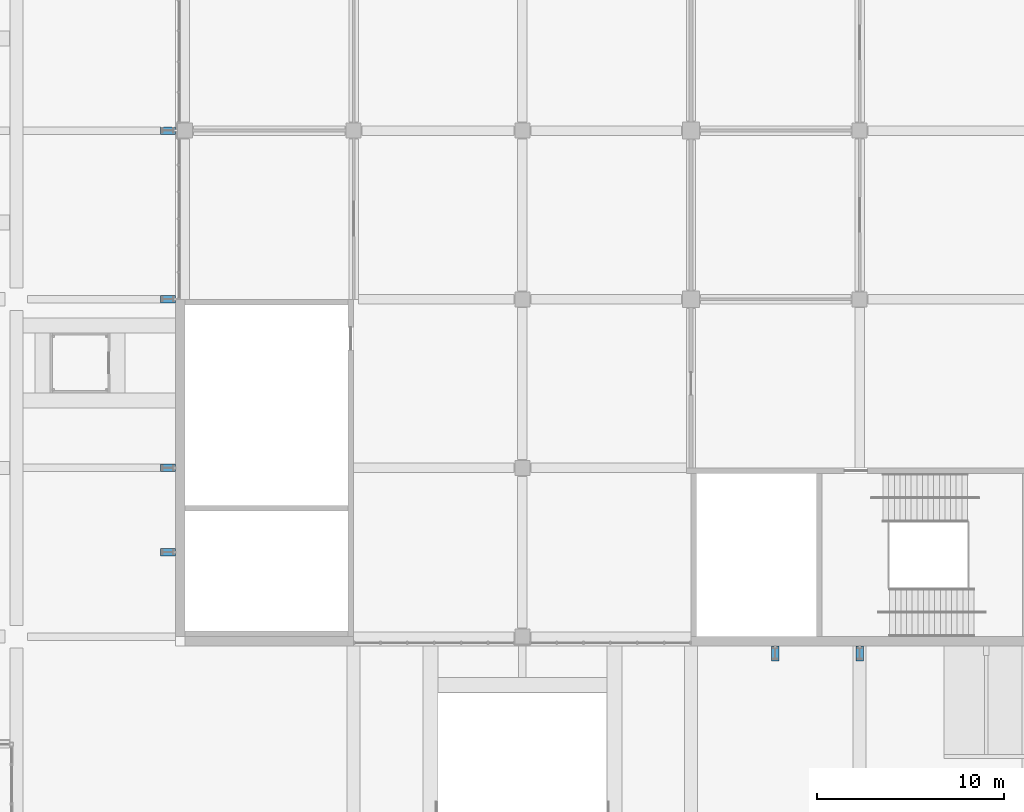
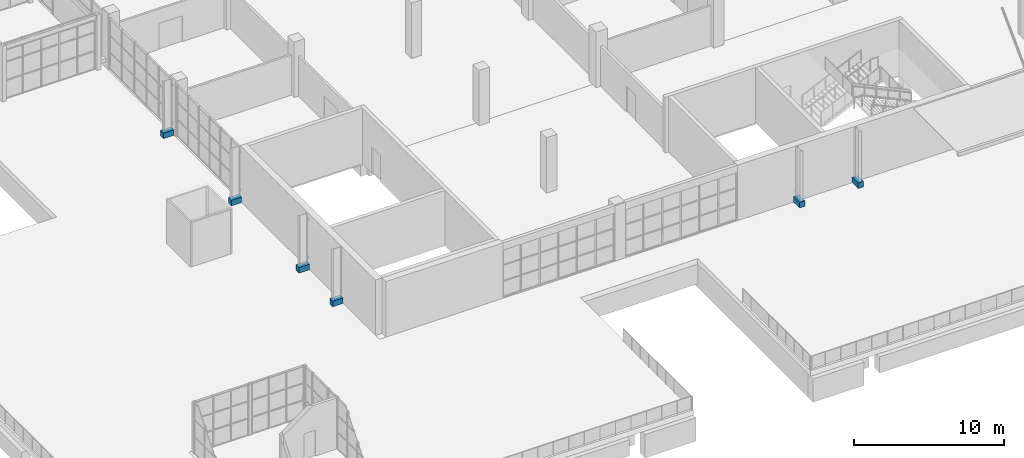
# One storey, part 112 of 168: 6 discrete accessories.
"""IFC4 building model written with IfcOpenShell, lengths in metres."""

from ifc_helpers import new_model, si_unit, direction, frame, origin, origin_2d, place, context, subcontext, project, spatial, rectangle, extrude, material, type_object, element, save


model = new_model("IFC4")

# Units and contexts
model_context = context("Model", 3, precision=1e-05, world=origin(), true_north=direction((0.0, 1.0)))
body_context = subcontext(model_context, "Body", "Model", "MODEL_VIEW")
ifc_project = project(units=[si_unit("LENGTHUNIT", "METRE"), si_unit("AREAUNIT", "SQUARE_METRE"), si_unit("VOLUMEUNIT", "CUBIC_METRE"), si_unit("PLANEANGLEUNIT", "RADIAN"), si_unit("MASSUNIT", "GRAM", prefix="KILO")], contexts=[model_context])

# Site, building, storey
site_placement = place(None, origin())
site = spatial("IfcSite", under=ifc_project, at=site_placement, CompositionType="ELEMENT")
building_placement = place(site_placement, origin())
building = spatial("IfcBuilding", under=site, at=building_placement, Name="Silverbay Arena", CompositionType="ELEMENT")
storey_placement = place(building_placement, frame((0.0, 0.0, 7.0)))
storey = spatial("IfcBuildingStorey", under=building, at=storey_placement, Name="L01", CompositionType="ELEMENT", Elevation=7.0)

# Discrete accessories
ifc_material = material(Name="Steel S355", Category="steel")
discrete_accessory_type = type_object("IfcDiscreteAccessoryType", Name="Steel bracket plate", PredefinedType="BRACKET", material=ifc_material)
for number, where, z_axis, x_axis, name in (
    (1, (58.5, 17.0986328125, 0.0), (0.0, 0.0, 1.0), (1.0, 0.0, 0.0), "Fin base shoe"),
    (2, (63.0, 17.0986328125, 0.0), (0.0, 0.0, 1.0), (1.0, 0.0, 0.0), "Fin base shoe"),
):
    element("IfcDiscreteAccessory", number, at=place(storey_placement, frame(where, z_axis=z_axis, x_axis=x_axis)), inside=storey, type_object=discrete_accessory_type, Name=name, PredefinedType="BRACKET", context=body_context, shape_type="SweptSolid", body=[
        extrude(rectangle(XDim=0.39990234375, YDim=0.802490234375, at=origin_2d()), origin(), (0.0, 0.0, 1.0), 0.449951171875),
    ])
for number, where, z_axis, x_axis, name in (
    (3, (26.0986328125, 22.5, 0.0), (0.0, 0.0, 1.0), (1.0, 0.0, 0.0), "Fin base shoe"),
    (4, (26.0986328125, 27.0, 0.0), (0.0, 0.0, 1.0), (1.0, 0.0, 0.0), "Fin base shoe"),
    (5, (26.0986328125, 36.0, 0.0), (0.0, 0.0, 1.0), (1.0, 0.0, 0.0), "Fin base shoe"),
    (6, (26.0986328125, 45.0, 0.0), (0.0, 0.0, 1.0), (1.0, 0.0, 0.0), "Fin base shoe"),
):
    element("IfcDiscreteAccessory", number, at=place(storey_placement, frame(where, z_axis=z_axis, x_axis=x_axis)), inside=storey, type_object=discrete_accessory_type, Name=name, PredefinedType="BRACKET", context=body_context, shape_type="SweptSolid", body=[
        extrude(rectangle(XDim=0.802490234375, YDim=0.39990234375, at=origin_2d()), origin(), (0.0, 0.0, 1.0), 0.449951171875),
    ])

save(model, "model.ifc")
